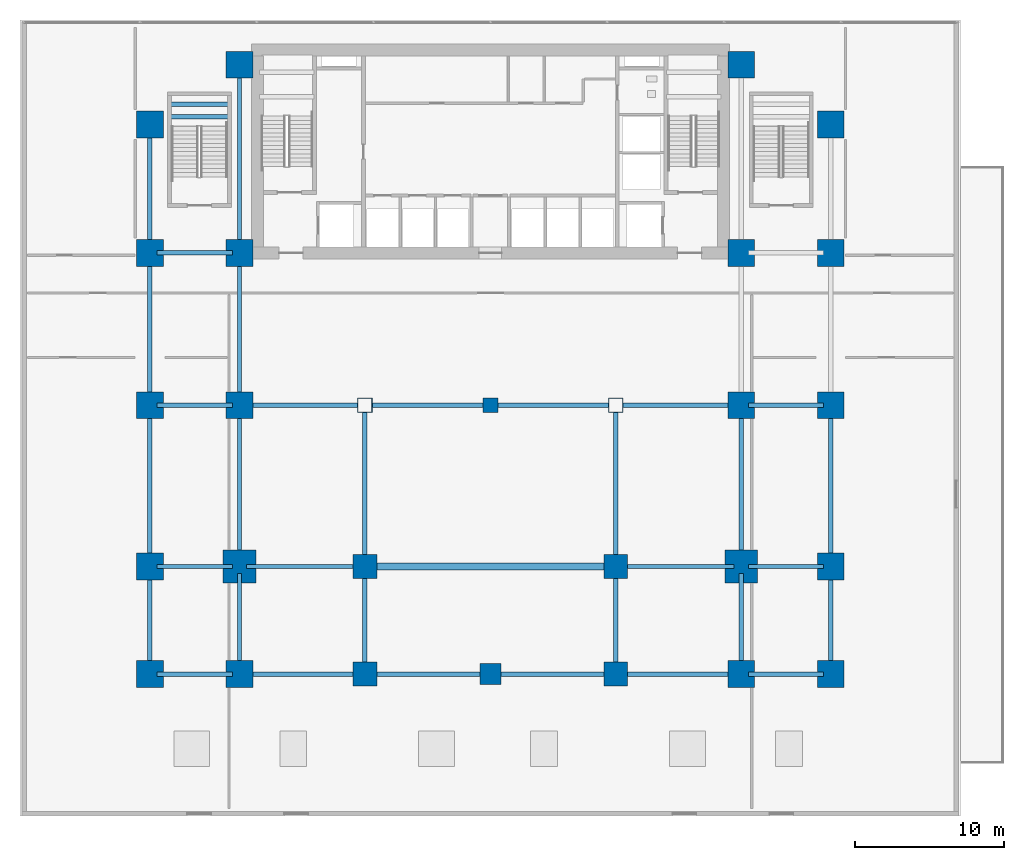
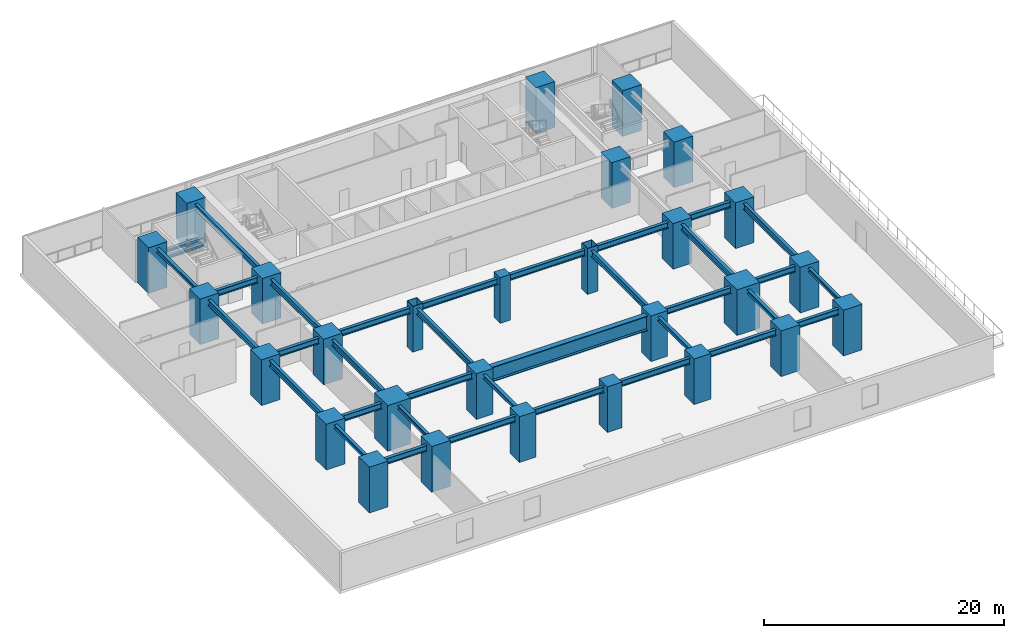
# One storey, part 1 of 15: 36 beams, 28 columns.
"""IFC4 building model written with IfcOpenShell, lengths in metres."""

import ifcopenshell
import ifcopenshell.guid

model = None  # the IFC model being written
_history = None  # IfcOwnerHistory: only IFC2X3 demands one
_inside = {}  # id of a spatial element -> (the spatial element, [elements in it])
_under = {}  # id of a project, library or spatial element -> (it, [spatial elements below it])
_declared = {}  # id of a project -> (the project, [libraries it declares])
_typed = {}  # id of a type object -> (the type object, [elements of that type])
_made_of = {}  # id of a material, layer set ... -> (it, [elements and type objects made of it])


def new_model(schema):
    """Start an empty IFC model of exactly this schema.

    Asked for "IFC4X3", IfcOpenShell would pick the latest addendum, in which some entities
    have other attributes; the version numbers below select the first issue.
    IFC2X3 requires an IfcOwnerHistory on every rooted entity: one is made here for all.
    """
    global model, _history
    if schema == "IFC4X3":
        model = ifcopenshell.file(schema_version=(4, 3, 0, 0))
    else:
        model = ifcopenshell.file(schema=schema)
    _inside.clear()
    _under.clear()
    _declared.clear()
    _typed.clear()
    _made_of.clear()
    _history = None
    if model.schema == "IFC2X3":
        org = make("IfcOrganization", Name="unknown")
        user = make(
            "IfcPersonAndOrganization",
            ThePerson=make("IfcPerson", FamilyName="unknown"),
            TheOrganization=org,
        )
        app = make(
            "IfcApplication",
            ApplicationDeveloper=org,
            Version="unknown",
            ApplicationFullName="unknown",
            ApplicationIdentifier="unknown",
        )
        _history = make(
            "IfcOwnerHistory",
            OwningUser=user,
            OwningApplication=app,
            ChangeAction="ADDED",
            CreationDate=0,
        )
    return model


def make(cls, **values):
    """One entity of the class cls with the attributes given. An attribute that is None is left unset."""
    return model.create_entity(
        cls, **{name: value for name, value in values.items() if value is not None}
    )


def rooted(cls, **values):
    """An entity with a GlobalId (a new one), such as an element, a storey or a relation."""
    return make(cls, GlobalId=ifcopenshell.guid.new(), OwnerHistory=_history, **values)


def si_unit(unit_type, name, prefix=None):
    """IfcSIUnit, for example si_unit("LENGTHUNIT", "METRE", prefix="MILLI")."""
    return make("IfcSIUnit", UnitType=unit_type, Prefix=prefix, Name=name)


def assignment(units):
    """IfcUnitAssignment: the units of a project."""
    return None if units is None else make("IfcUnitAssignment", Units=units)


def point(xyz):
    """IfcCartesianPoint."""
    return None if xyz is None else make("IfcCartesianPoint", Coordinates=xyz)


def direction(xyz):
    """IfcDirection."""
    return None if xyz is None else make("IfcDirection", DirectionRatios=xyz)


def frame(location, z_axis=None, x_axis=None):
    """IfcAxis2Placement3D, a coordinate frame: its origin and axes. An axis left out is left unset."""
    return make(
        "IfcAxis2Placement3D",
        Location=point(location),
        Axis=direction(z_axis),
        RefDirection=direction(x_axis),
    )


def frame_2d(location, x_axis=None):
    """IfcAxis2Placement2D, a coordinate frame in the plane: its origin and x axis."""
    return make(
        "IfcAxis2Placement2D", Location=point(location), RefDirection=direction(x_axis)
    )


def origin():
    """The frame at (0, 0, 0) with its axes left unset."""
    return frame((0.0, 0.0, 0.0))


def origin_with_axes():
    """The frame at (0, 0, 0) with the z axis (0, 0, 1) and the x axis (1, 0, 0) written out."""
    return frame((0.0, 0.0, 0.0), z_axis=(0.0, 0.0, 1.0), x_axis=(1.0, 0.0, 0.0))


def origin_2d():
    """The frame at (0, 0) in the plane with its x axis left unset."""
    return frame_2d((0.0, 0.0))


def place(relative_to, where):
    """IfcLocalPlacement: puts the frame where relative to a parent placement (None: the world)."""
    return make(
        "IfcLocalPlacement", PlacementRelTo=relative_to, RelativePlacement=where
    )


def context(
    kind, dimensions, precision=None, world=None, true_north=None, identifier=None
):
    """IfcGeometricRepresentationContext, for example the 3D "Model" context."""
    return make(
        "IfcGeometricRepresentationContext",
        ContextIdentifier=identifier,
        ContextType=kind,
        CoordinateSpaceDimension=dimensions,
        Precision=precision,
        WorldCoordinateSystem=world,
        TrueNorth=true_north,
    )


def subcontext(parent, identifier, kind, view, scale=None):
    """IfcGeometricRepresentationSubContext, for example "Body" below "Model"."""
    return make(
        "IfcGeometricRepresentationSubContext",
        ContextIdentifier=identifier,
        ContextType=kind,
        ParentContext=parent,
        TargetScale=scale,
        TargetView=view,
    )


def project(units=None, contexts=None):
    """IfcProject with its units and contexts."""
    return rooted(
        "IfcProject",
        Name="project",
        RepresentationContexts=contexts,
        UnitsInContext=assignment(units),
    )


def spatial(cls, under=None, at=None, **own):
    """A site, building, storey or space (cls), placed at a placement, below another one or the project."""
    s = rooted(cls, ObjectPlacement=at, **own)
    if under is not None:
        _under.setdefault(under.id(), (under, []))[1].append(s)
    return s


def profile(cls, at=None, kind="AREA", **sizes):
    """A parametric profile (cls). Its sizes go by their IFC names, for example OverallWidth=200.0."""
    return make(cls, ProfileType=kind, Position=at, **sizes)


def rectangle(**sizes):
    """IfcRectangleProfileDef."""
    return profile("IfcRectangleProfileDef", **sizes)


def hollow_rectangle(**sizes):
    """IfcRectangleHollowProfileDef."""
    return profile("IfcRectangleHollowProfileDef", **sizes)


def i_section(**sizes):
    """IfcIShapeProfileDef."""
    return profile("IfcIShapeProfileDef", **sizes)


def extrude(swept, where, along, depth):
    """IfcExtrudedAreaSolid: the profile swept, set in the frame where, extruded along a direction by depth."""
    return make(
        "IfcExtrudedAreaSolid",
        SweptArea=swept,
        Position=where,
        ExtrudedDirection=direction(along),
        Depth=depth,
    )


def shape(context_of_items, identifier, shape_type, items):
    """IfcShapeRepresentation: the items that make up one representation, for example the "Body"."""
    return make(
        "IfcShapeRepresentation",
        ContextOfItems=context_of_items,
        RepresentationIdentifier=identifier,
        RepresentationType=shape_type,
        Items=items,
    )


def source(mapping_origin, context_of_items, identifier, shape_type, items):
    """IfcRepresentationMap: a shape defined once, which mapped items show again and again."""
    return make(
        "IfcRepresentationMap",
        MappingOrigin=mapping_origin,
        MappedRepresentation=shape(context_of_items, identifier, shape_type, items),
    )


def transform(
    local_origin,
    x_axis=None,
    y_axis=None,
    z_axis=None,
    scale=None,
    scale2=None,
    scale3=None,
    uniform=True,
):
    """IfcCartesianTransformationOperator3D, or its non-uniform kind. x_axis, y_axis, z_axis: its Axis1, 2, 3."""
    if uniform:
        return make(
            "IfcCartesianTransformationOperator3D",
            Axis1=direction(x_axis),
            Axis2=direction(y_axis),
            LocalOrigin=point(local_origin),
            Scale=scale,
            Axis3=direction(z_axis),
        )
    return make(
        "IfcCartesianTransformationOperator3DnonUniform",
        Axis1=direction(x_axis),
        Axis2=direction(y_axis),
        LocalOrigin=point(local_origin),
        Scale=scale,
        Axis3=direction(z_axis),
        Scale2=scale2,
        Scale3=scale3,
    )


def mapped(mapping_source, mapping_target):
    """IfcMappedItem: shows the shape of a source again, moved by a transform."""
    return make(
        "IfcMappedItem", MappingSource=mapping_source, MappingTarget=mapping_target
    )


def material(Name=None, Category=None):
    """IfcMaterial."""
    return make("IfcMaterial", Name=Name, Category=Category)


def material_profile(
    of_material, cross_section, Name=None, Category=None, Priority=None
):
    """IfcMaterialProfile: a cross section and its material."""
    return make(
        "IfcMaterialProfile",
        Name=Name,
        Material=of_material,
        Profile=cross_section,
        Priority=Priority,
        Category=Category,
    )


def profile_set(profiles, Name=None, composite=None):
    """IfcMaterialProfileSet."""
    return make(
        "IfcMaterialProfileSet",
        Name=Name,
        MaterialProfiles=profiles,
        CompositeProfile=composite,
    )


def made_of(thing, what):
    """Note that an element or type object is made of a material, layer set ...; save() writes the relation."""
    if what is not None:
        _made_of.setdefault(what.id(), (what, []))[1].append(thing)
    return thing


def type_object(cls, material=None, **own):
    """A type object (cls), such as IfcWallType, which elements share."""
    return made_of(rooted(cls, **own), material)


def element(
    cls,
    number,
    at=None,
    inside=None,
    cuts=None,
    type_object=None,
    material=None,
    context=None,
    identifier="Body",
    shape_type=None,
    held_by="IfcProductDefinitionShape",
    body=None,
    shapes=None,
    **own,
):
    """One element of the class cls, such as IfcWall. Its Tag is "e" and its number.

    at: its placement. inside: the storey or other place that contains it. cuts: it is an
    opening in that element (IfcRelVoidsElement). A single representation is given by context,
    identifier, shape_type and body (its items); several are given by shapes. held_by: the class
    of the entity that holds the representations. save() writes the other relations.
    """
    e = rooted(cls, Tag="e%d" % number, ObjectPlacement=at, **own)
    if body is not None:
        shapes = [shape(context, identifier, shape_type, body)]
    if shapes is not None:
        e.Representation = make(held_by, Representations=shapes)
    if inside is not None:
        _inside.setdefault(inside.id(), (inside, []))[1].append(e)
    if cuts is not None:
        rooted(
            "IfcRelVoidsElement", RelatingBuildingElement=cuts, RelatedOpeningElement=e
        )
    if type_object is not None:
        _typed.setdefault(type_object.id(), (type_object, []))[1].append(e)
    return made_of(e, material)


def aggregate(whole, parts):
    """IfcRelAggregates: a whole, such as a stair, and the parts it consists of."""
    return rooted("IfcRelAggregates", RelatingObject=whole, RelatedObjects=parts)


def save(model, path):
    """Write the relations noted so far, then the file.

    IfcRelAggregates (storeys below a building ...), IfcRelContainedInSpatialStructure (elements
    in a storey), IfcRelDefinesByType, IfcRelAssociatesMaterial and IfcRelDeclares: one each for
    every whole, place, type object, material and project.
    """
    for whole, parts in _under.values():
        aggregate(whole, parts)
    for where, things in _inside.values():
        rooted(
            "IfcRelContainedInSpatialStructure",
            RelatedElements=things,
            RelatingStructure=where,
        )
    for kind, things in _typed.values():
        rooted("IfcRelDefinesByType", RelatedObjects=things, RelatingType=kind)
    for what, things in _made_of.values():
        rooted("IfcRelAssociatesMaterial", RelatedObjects=things, RelatingMaterial=what)
    for by, libraries in _declared.values():
        rooted("IfcRelDeclares", RelatingContext=by, RelatedDefinitions=libraries)
    model.write(path)


model = new_model("IFC4")

# Units and contexts
model_context = context("Model", 3, precision=1e-05, world=origin(), true_north=direction((0.0, 1.0)))
body_context = subcontext(model_context, "Body", "Model", "MODEL_VIEW")
ifc_project = project(units=[si_unit("LENGTHUNIT", "METRE"), si_unit("AREAUNIT", "SQUARE_METRE"), si_unit("VOLUMEUNIT", "CUBIC_METRE"), si_unit("PLANEANGLEUNIT", "RADIAN"), si_unit("MASSUNIT", "GRAM", prefix="KILO")], contexts=[model_context])

# Site, building, storey
site_placement = place(None, origin())
site = spatial("IfcSite", under=ifc_project, at=site_placement, CompositionType="ELEMENT")
building_placement = place(site_placement, origin())
building = spatial("IfcBuilding", under=site, at=building_placement, Name="Sumidabori Civic Tower", CompositionType="ELEMENT")
storey_placement = place(building_placement, frame((0.0, 0.0, 14.300048828125)))
storey = spatial("IfcBuildingStorey", under=building, at=storey_placement, Name="L03", CompositionType="ELEMENT", Elevation=14.300048828125)

# Columns
ifc_material_1 = material(Name="Concrete C60/75", Category="concrete")
ifc_material_profile_1 = material_profile(ifc_material_1, rectangle(XDim=1.800048828125, YDim=1.800048828125, at=origin_2d()), Name="RC 1800x1800")
ifc_profile_set_1 = profile_set([ifc_material_profile_1], Name="Concrete C60/75")
column_type_1 = type_object("IfcColumnType", Name="CL-MEGA-1800", PredefinedType="COLUMN", material=ifc_profile_set_1)
shared_shape_1 = source(origin(), body_context, "Body", "SweptSolid", [
    extrude(rectangle(XDim=1.800048828125, YDim=1.800048828125, at=origin_2d()), origin(), (0.0, 0.0, 1.0), 4.64990234375),
])
for number, where, z_axis, x_axis, name in (
    (1, (-16.800048828125, -18.0, 0.0), (0.0, 0.0, 1.0), (1.0, 0.0, 0.0), "Column MC-W16-Y18S L03"),
    (2, (-16.800048828125, 0.0, 0.0), (0.0, 0.0, 1.0), (1.0, 0.0, 0.0), "Column MC-W16-Y00 L03"),
    (3, (-16.800048828125, 10.199951171875, 0.0), (0.0, 0.0, 1.0), (1.0, 0.0, 0.0), "Column MC-W16-Y10N L03"),
    (4, (-16.800048828125, 22.800048828125, 0.0), (0.0, 0.0, 1.0), (1.0, 0.0, 0.0), "Column MC-W16-Y23N L03"),
    (5, (16.800048828125, -18.0, 0.0), (0.0, 0.0, 1.0), (1.0, 0.0, 0.0), "Column MC-E16-Y18S L03"),
    (6, (16.800048828125, 0.0, 0.0), (0.0, 0.0, 1.0), (1.0, 0.0, 0.0), "Column MC-E16-Y00 L03"),
    (7, (16.800048828125, 10.199951171875, 0.0), (0.0, 0.0, 1.0), (1.0, 0.0, 0.0), "Column MC-E16-Y10N L03"),
    (8, (16.800048828125, 22.800048828125, 0.0), (0.0, 0.0, 1.0), (1.0, 0.0, 0.0), "Column MC-E16-Y23N L03"),
    (9, (-22.800048828125, -18.0, 0.0), (0.0, 0.0, 1.0), (1.0, 0.0, 0.0), "Column MC-W23-Y18S L03"),
    (10, (-22.800048828125, -10.800048828125, 0.0), (0.0, 0.0, 1.0), (1.0, 0.0, 0.0), "Column MC-W23-Y11S L03"),
    (11, (-22.800048828125, 0.0, 0.0), (0.0, 0.0, 1.0), (1.0, 0.0, 0.0), "Column MC-W23-Y00 L03"),
    (12, (-22.800048828125, 10.199951171875, 0.0), (0.0, 0.0, 1.0), (1.0, 0.0, 0.0), "Column MC-W23-Y10N L03"),
    (13, (-22.800048828125, 18.800048828125, 0.0), (0.0, 0.0, 1.0), (1.0, 0.0, 0.0), "Column MC-W23-Y19N L03"),
    (14, (22.800048828125, -18.0, 0.0), (0.0, 0.0, 1.0), (1.0, 0.0, 0.0), "Column MC-E23-Y18S L03"),
    (15, (22.800048828125, -10.800048828125, 0.0), (0.0, 0.0, 1.0), (1.0, 0.0, 0.0), "Column MC-E23-Y11S L03"),
    (16, (22.800048828125, 0.0, 0.0), (0.0, 0.0, 1.0), (1.0, 0.0, 0.0), "Column MC-E23-Y00 L03"),
    (17, (22.800048828125, 10.199951171875, 0.0), (0.0, 0.0, 1.0), (1.0, 0.0, 0.0), "Column MC-E23-Y10N L03"),
    (18, (22.800048828125, 18.800048828125, 0.0), (0.0, 0.0, 1.0), (1.0, 0.0, 0.0), "Column MC-E23-Y19N L03"),
):
    element("IfcColumn", number, at=place(storey_placement, frame(where, z_axis=z_axis, x_axis=x_axis)), inside=storey, type_object=column_type_1, Name=name, PredefinedType="COLUMN", context=body_context, shape_type="MappedRepresentation", body=[
        mapped(shared_shape_1, transform((0.0, 0.0, 0.0), x_axis=(1.0, 0.0, 0.0), y_axis=(0.0, 1.0, 0.0), z_axis=(0.0, 0.0, 1.0), scale=1.0)),
    ])
ifc_material_profile_2 = material_profile(ifc_material_1, rectangle(XDim=2.199951171875, YDim=2.199951171875, at=origin_2d()), Name="RC 2200x2200")
ifc_profile_set_2 = profile_set([ifc_material_profile_2], Name="Concrete C60/75")
column_type_2 = type_object("IfcColumnType", Name="CL-SUPER-2200", PredefinedType="COLUMN", material=ifc_profile_set_2)
shared_shape_2 = source(origin(), body_context, "Body", "SweptSolid", [
    extrude(rectangle(XDim=2.199951171875, YDim=2.199951171875, at=origin_2d()), origin(), (0.0, 0.0, 1.0), 4.64990234375),
])
for number, where, z_axis, x_axis, name in (
    (19, (-16.800048828125, -10.800048828125, 0.0), (0.0, 0.0, 1.0), (1.0, 0.0, 0.0), "Column MC-W16-Y11S L03"),
    (20, (16.800048828125, -10.800048828125, 0.0), (0.0, 0.0, 1.0), (1.0, 0.0, 0.0), "Column MC-E16-Y11S L03"),
):
    element("IfcColumn", number, at=place(storey_placement, frame(where, z_axis=z_axis, x_axis=x_axis)), inside=storey, type_object=column_type_2, Name=name, PredefinedType="COLUMN", context=body_context, shape_type="MappedRepresentation", body=[
        mapped(shared_shape_2, transform((0.0, 0.0, 0.0), x_axis=(1.0, 0.0, 0.0), y_axis=(0.0, 1.0, 0.0), z_axis=(0.0, 0.0, 1.0), scale=1.0)),
    ])
ifc_material_profile_3 = material_profile(ifc_material_1, rectangle(XDim=1.60009765625, YDim=1.60009765625, at=origin_2d()), Name="RC 1600x1600")
ifc_profile_set_3 = profile_set([ifc_material_profile_3], Name="Concrete C60/75")
column_type_3 = type_object("IfcColumnType", Name="CL-MEGA-1600", PredefinedType="COLUMN", material=ifc_profile_set_3)
shared_shape_3 = source(origin(), body_context, "Body", "SweptSolid", [
    extrude(rectangle(XDim=1.60009765625, YDim=1.60009765625, at=origin_2d()), origin(), (0.0, 0.0, 1.0), 4.64990234375),
])
for number, where, z_axis, x_axis, name in (
    (21, (-8.39990234375, -18.0, 0.0), (0.0, 0.0, 1.0), (1.0, 0.0, 0.0), "Column MC-W08-Y18S L03"),
    (22, (-8.39990234375, -10.800048828125, 0.0), (0.0, 0.0, 1.0), (1.0, 0.0, 0.0), "Column MC-W08-Y11S L03"),
    (23, (8.39990234375, -18.0, 0.0), (0.0, 0.0, 1.0), (1.0, 0.0, 0.0), "Column MC-E08-Y18S L03"),
    (24, (8.39990234375, -10.800048828125, 0.0), (0.0, 0.0, 1.0), (1.0, 0.0, 0.0), "Column MC-E08-Y11S L03"),
):
    element("IfcColumn", number, at=place(storey_placement, frame(where, z_axis=z_axis, x_axis=x_axis)), inside=storey, type_object=column_type_3, Name=name, PredefinedType="COLUMN", context=body_context, shape_type="MappedRepresentation", body=[
        mapped(shared_shape_3, transform((0.0, 0.0, 0.0), x_axis=(1.0, 0.0, 0.0), y_axis=(0.0, 1.0, 0.0), z_axis=(0.0, 0.0, 1.0), scale=1.0)),
    ])
ifc_material_2 = material(Name="Steel SM570", Category="steel")
ifc_material_profile_4 = material_profile(ifc_material_2, hollow_rectangle(XDim=1.0, YDim=1.0, WallThickness=0.044921875, at=origin_2d()), Name="SHS 1000x1000x45")
ifc_profile_set_4 = profile_set([ifc_material_profile_4], Name="Steel SM570")
column_type_4 = type_object("IfcColumnType", Name="CL-PORTAL-SHS1000", PredefinedType="COLUMN", material=ifc_profile_set_4)
shared_shape_4 = source(origin(), body_context, "Body", "SweptSolid", [
    extrude(hollow_rectangle(XDim=1.0, YDim=1.0, WallThickness=0.044921875, at=origin_2d()), origin(), (0.0, 0.0, 1.0), 4.64990234375),
])
for number, where, z_axis, x_axis, name in (
    (25, (-8.39990234375, 0.0, 0.0), (0.0, 0.0, 1.0), (1.0, 0.0, 0.0), "Column MC-W08-Y00 L03"),
    (26, (8.39990234375, 0.0, 0.0), (0.0, 0.0, 1.0), (1.0, 0.0, 0.0), "Column MC-E08-Y00 L03"),
):
    element("IfcColumn", number, at=place(storey_placement, frame(where, z_axis=z_axis, x_axis=x_axis)), inside=storey, type_object=column_type_4, Name=name, PredefinedType="COLUMN", context=body_context, shape_type="MappedRepresentation", body=[
        mapped(shared_shape_4, transform((0.0, 0.0, 0.0), x_axis=(1.0, 0.0, 0.0), y_axis=(0.0, 1.0, 0.0), z_axis=(0.0, 0.0, 1.0), scale=1.0)),
    ])
ifc_material_profile_5 = material_profile(ifc_material_1, rectangle(XDim=1.39990234375, YDim=1.39990234375, at=origin_2d()), Name="RC 1400x1400")
ifc_profile_set_5 = profile_set([ifc_material_profile_5], Name="Concrete C60/75")
column_type_5 = type_object("IfcColumnType", Name="CL-MEGA-1400", PredefinedType="COLUMN", material=ifc_profile_set_5)
shared_shape_5 = source(origin(), body_context, "Body", "SweptSolid", [
    extrude(rectangle(XDim=1.39990234375, YDim=1.39990234375, at=origin_2d()), origin(), (0.0, 0.0, 1.0), 4.64990234375),
])
column_1_placement = place(storey_placement, frame((0.0, -18.0, 0.0), z_axis=(0.0, 0.0, 1.0), x_axis=(1.0, 0.0, 0.0)))
element("IfcColumn", 27, at=column_1_placement, inside=storey, type_object=column_type_5, Name="Column MC-C00-Y18S L03", PredefinedType="COLUMN", context=body_context, shape_type="MappedRepresentation", body=[
    mapped(shared_shape_5, transform((0.0, 0.0, 0.0), x_axis=(1.0, 0.0, 0.0), y_axis=(0.0, 1.0, 0.0), z_axis=(0.0, 0.0, 1.0), scale=1.0)),
])
ifc_material_3 = material(Name="Concrete C50/60", Category="concrete")
ifc_material_profile_6 = material_profile(ifc_material_3, rectangle(XDim=1.0, YDim=1.0, at=origin_2d()), Name="RC 1000x1000")
ifc_profile_set_6 = profile_set([ifc_material_profile_6], Name="Concrete C50/60")
column_type_6 = type_object("IfcColumnType", Name="CL-INT-1000", PredefinedType="COLUMN", material=ifc_profile_set_6)
shared_shape_6 = source(origin(), body_context, "Body", "SweptSolid", [
    extrude(rectangle(XDim=1.0, YDim=1.0, at=origin_2d()), origin(), (0.0, 0.0, 1.0), 4.64990234375),
])
column_2_placement = place(storey_placement, origin_with_axes())
element("IfcColumn", 28, at=column_2_placement, inside=storey, type_object=column_type_6, Name="Column MC-C00-Y00 L03", PredefinedType="COLUMN", context=body_context, shape_type="MappedRepresentation", body=[
    mapped(shared_shape_6, transform((0.0, 0.0, 0.0), x_axis=(1.0, 0.0, 0.0), y_axis=(0.0, 1.0, 0.0), z_axis=(0.0, 0.0, 1.0), scale=1.0)),
])

# Beams
ifc_material_4 = material(Name="Steel SN490", Category="steel")
ifc_material_profile_7 = material_profile(ifc_material_4, i_section(OverallWidth=0.300048828125, OverallDepth=0.60009765625, WebThickness=0.015380859375, FlangeThickness=0.030029296875, at=origin_2d()), Name="HE 600 B")
ifc_profile_set_7 = profile_set([ifc_material_profile_7], Name="Steel SN490")
beam_type_1 = type_object("IfcBeamType", Name="BM-GIRD-600", PredefinedType="BEAM", material=ifc_profile_set_7)
shared_shape_7 = source(origin(), body_context, "Body", "SweptSolid", [
    extrude(i_section(OverallWidth=0.300048828125, OverallDepth=0.60009765625, WebThickness=0.015380859375, FlangeThickness=0.030029296875, at=origin_2d()), origin(), (0.0, 0.0, 1.0), 5.0400390625),
])
for number, where, z_axis, x_axis, name in (
    (29, (-22.320068359375, -18.0, 4.030029296875), (1.0, 0.0, 0.0), (0.0, 1.0, 0.0), "Primary Girder L03 GX-01"),
    (30, (17.280029296875, -18.0, 4.030029296875), (1.0, 0.0, 0.0), (0.0, 1.0, 0.0), "Primary Girder L03 GX-06"),
    (31, (-22.320068359375, -10.800048828125, 4.030029296875), (1.0, 0.0, 0.0), (0.0, 1.0, 0.0), "Primary Girder L03 GX-07"),
    (32, (17.280029296875, -10.800048828125, 4.030029296875), (1.0, 0.0, 0.0), (0.0, 1.0, 0.0), "Primary Girder L03 GX-10"),
    (33, (-22.320068359375, 0.0, 4.030029296875), (1.0, 0.0, 0.0), (0.0, 1.0, 0.0), "Primary Girder L03 GX-11"),
    (34, (17.280029296875, 0.0, 4.030029296875), (1.0, 0.0, 0.0), (0.0, 1.0, 0.0), "Primary Girder L03 GX-16"),
    (35, (-22.320068359375, 10.199951171875, 4.030029296875), (1.0, 0.0, 0.0), (0.0, 1.0, 0.0), "Primary Girder L03 GX-17"),
):
    element("IfcBeam", number, at=place(storey_placement, frame(where, z_axis=z_axis, x_axis=x_axis)), inside=storey, type_object=beam_type_1, Name=name, PredefinedType="BEAM", context=body_context, shape_type="MappedRepresentation", body=[
        mapped(shared_shape_7, transform((0.0, 0.0, 0.0), x_axis=(1.0, 0.0, 0.0), y_axis=(0.0, 1.0, 0.0), z_axis=(0.0, 0.0, 1.0), scale=1.0)),
    ])
shared_shape_8 = source(origin(), body_context, "Body", "SweptSolid", [
    extrude(i_section(OverallWidth=0.300048828125, OverallDepth=0.60009765625, WebThickness=0.015380859375, FlangeThickness=0.030029296875, at=origin_2d()), origin(), (0.0, 0.0, 1.0), 7.440185546875),
])
for number, where, z_axis, x_axis, name in (
    (36, (-16.320068359375, -18.0, 4.030029296875), (1.0, 0.0, 0.0), (0.0, 1.0, 0.0), "Primary Girder L03 GX-02"),
    (37, (8.8798828125, -18.0, 4.030029296875), (1.0, 0.0, 0.0), (0.0, 1.0, 0.0), "Primary Girder L03 GX-05"),
    (38, (-16.320068359375, -10.800048828125, 4.030029296875), (1.0, 0.0, 0.0), (0.0, 1.0, 0.0), "Primary Girder L03 GX-08"),
    (39, (8.8798828125, -10.800048828125, 4.030029296875), (1.0, 0.0, 0.0), (0.0, 1.0, 0.0), "Primary Girder L03 GX-09"),
    (40, (-16.320068359375, 0.0, 4.030029296875), (1.0, 0.0, 0.0), (0.0, 1.0, 0.0), "Primary Girder L03 GX-12"),
    (41, (8.8798828125, 0.0, 4.030029296875), (1.0, 0.0, 0.0), (0.0, 1.0, 0.0), "Primary Girder L03 GX-15"),
):
    element("IfcBeam", number, at=place(storey_placement, frame(where, z_axis=z_axis, x_axis=x_axis)), inside=storey, type_object=beam_type_1, Name=name, PredefinedType="BEAM", context=body_context, shape_type="MappedRepresentation", body=[
        mapped(shared_shape_8, transform((0.0, 0.0, 0.0), x_axis=(1.0, 0.0, 0.0), y_axis=(0.0, 1.0, 0.0), z_axis=(0.0, 0.0, 1.0), scale=1.0)),
    ])
shared_shape_9 = source(origin(), body_context, "Body", "SweptSolid", [
    extrude(i_section(OverallWidth=0.300048828125, OverallDepth=0.60009765625, WebThickness=0.015380859375, FlangeThickness=0.030029296875, at=origin_2d()), origin(), (0.0, 0.0, 1.0), 7.43994140625),
])
for number, where, z_axis, x_axis, name in (
    (42, (-7.919921875, -18.0, 4.030029296875), (1.0, 0.0, 0.0), (0.0, 1.0, 0.0), "Primary Girder L03 GX-03"),
    (43, (0.47998046875, -18.0, 4.030029296875), (1.0, 0.0, 0.0), (0.0, 1.0, 0.0), "Primary Girder L03 GX-04"),
    (44, (-7.919921875, 0.0, 4.030029296875), (1.0, 0.0, 0.0), (0.0, 1.0, 0.0), "Primary Girder L03 GX-13"),
    (45, (0.47998046875, 0.0, 4.030029296875), (1.0, 0.0, 0.0), (0.0, 1.0, 0.0), "Primary Girder L03 GX-14"),
):
    element("IfcBeam", number, at=place(storey_placement, frame(where, z_axis=z_axis, x_axis=x_axis)), inside=storey, type_object=beam_type_1, Name=name, PredefinedType="BEAM", context=body_context, shape_type="MappedRepresentation", body=[
        mapped(shared_shape_9, transform((0.0, 0.0, 0.0), x_axis=(1.0, 0.0, 0.0), y_axis=(0.0, 1.0, 0.0), z_axis=(0.0, 0.0, 1.0), scale=1.0)),
    ])
ifc_material_profile_8 = material_profile(ifc_material_4, i_section(OverallWidth=0.300048828125, OverallDepth=0.39990234375, WebThickness=0.013427734375, FlangeThickness=0.02392578125, at=origin_2d()), Name="HE 400 B")
ifc_profile_set_8 = profile_set([ifc_material_profile_8], Name="Steel SN490")
beam_type_2 = type_object("IfcBeamType", Name="BM-GIRD-400", PredefinedType="BEAM", material=ifc_profile_set_8)
shared_shape_10 = source(origin(), body_context, "Body", "SweptSolid", [
    extrude(i_section(OverallWidth=0.300048828125, OverallDepth=0.39990234375, WebThickness=0.013427734375, FlangeThickness=0.02392578125, at=origin_2d()), origin(), (0.0, 0.0, 1.0), 6.239990234375),
])
for number, where, z_axis, x_axis, name in (
    (46, (-22.800048828125, -17.52001953125, 4.1298828125), (0.0, 1.0, 0.0), (-1.0, 0.0, 0.0), "Primary Girder L03 GY-19"),
    (47, (-16.800048828125, -17.52001953125, 4.1298828125), (0.0, 1.0, 0.0), (-1.0, 0.0, 0.0), "Primary Girder L03 GY-23"),
    (48, (-8.39990234375, -17.52001953125, 4.1298828125), (0.0, 1.0, 0.0), (-1.0, 0.0, 0.0), "Primary Girder L03 GY-27"),
    (49, (8.39990234375, -17.52001953125, 4.1298828125), (0.0, 1.0, 0.0), (-1.0, 0.0, 0.0), "Primary Girder L03 GY-29"),
    (50, (16.800048828125, -17.52001953125, 4.1298828125), (0.0, 1.0, 0.0), (-1.0, 0.0, 0.0), "Primary Girder L03 GY-31"),
    (51, (22.800048828125, -17.52001953125, 4.1298828125), (0.0, 1.0, 0.0), (-1.0, 0.0, 0.0), "Primary Girder L03 GY-35"),
):
    element("IfcBeam", number, at=place(storey_placement, frame(where, z_axis=z_axis, x_axis=x_axis)), inside=storey, type_object=beam_type_2, Name=name, PredefinedType="BEAM", context=body_context, shape_type="MappedRepresentation", body=[
        mapped(shared_shape_10, transform((0.0, 0.0, 0.0), x_axis=(1.0, 0.0, 0.0), y_axis=(0.0, 1.0, 0.0), z_axis=(0.0, 0.0, 1.0), scale=1.0)),
    ])
shared_shape_11 = source(origin(), body_context, "Body", "SweptSolid", [
    extrude(i_section(OverallWidth=0.300048828125, OverallDepth=0.60009765625, WebThickness=0.015380859375, FlangeThickness=0.030029296875, at=origin_2d()), origin(), (0.0, 0.0, 1.0), 9.840087890625),
])
for number, where, z_axis, x_axis, name in (
    (52, (-22.800048828125, -10.320068359375, 4.030029296875), (0.0, 1.0, 0.0), (-1.0, 0.0, 0.0), "Primary Girder L03 GY-20"),
    (53, (-16.800048828125, -10.320068359375, 4.030029296875), (0.0, 1.0, 0.0), (-1.0, 0.0, 0.0), "Primary Girder L03 GY-24"),
    (54, (-8.39990234375, -10.320068359375, 4.030029296875), (0.0, 1.0, 0.0), (-1.0, 0.0, 0.0), "Primary Girder L03 GY-28"),
    (55, (8.39990234375, -10.320068359375, 4.030029296875), (0.0, 1.0, 0.0), (-1.0, 0.0, 0.0), "Primary Girder L03 GY-30"),
    (56, (16.800048828125, -10.320068359375, 4.030029296875), (0.0, 1.0, 0.0), (-1.0, 0.0, 0.0), "Primary Girder L03 GY-32"),
    (57, (22.800048828125, -10.320068359375, 4.030029296875), (0.0, 1.0, 0.0), (-1.0, 0.0, 0.0), "Primary Girder L03 GY-36"),
):
    element("IfcBeam", number, at=place(storey_placement, frame(where, z_axis=z_axis, x_axis=x_axis)), inside=storey, type_object=beam_type_1, Name=name, PredefinedType="BEAM", context=body_context, shape_type="MappedRepresentation", body=[
        mapped(shared_shape_11, transform((0.0, 0.0, 0.0), x_axis=(1.0, 0.0, 0.0), y_axis=(0.0, 1.0, 0.0), z_axis=(0.0, 0.0, 1.0), scale=1.0)),
    ])
shared_shape_12 = source(origin(), body_context, "Body", "SweptSolid", [
    extrude(i_section(OverallWidth=0.300048828125, OverallDepth=0.60009765625, WebThickness=0.015380859375, FlangeThickness=0.030029296875, at=origin_2d()), origin(), (0.0, 0.0, 1.0), 9.239990234375),
])
for number, where, z_axis, x_axis, name in (
    (58, (-22.800048828125, 0.47998046875, 4.030029296875), (0.0, 1.0, 0.0), (-1.0, 0.0, 0.0), "Primary Girder L03 GY-21"),
    (59, (-16.800048828125, 0.47998046875, 4.030029296875), (0.0, 1.0, 0.0), (-1.0, 0.0, 0.0), "Primary Girder L03 GY-25"),
):
    element("IfcBeam", number, at=place(storey_placement, frame(where, z_axis=z_axis, x_axis=x_axis)), inside=storey, type_object=beam_type_1, Name=name, PredefinedType="BEAM", context=body_context, shape_type="MappedRepresentation", body=[
        mapped(shared_shape_12, transform((0.0, 0.0, 0.0), x_axis=(1.0, 0.0, 0.0), y_axis=(0.0, 1.0, 0.0), z_axis=(0.0, 0.0, 1.0), scale=1.0)),
    ])
shared_shape_13 = source(origin(), body_context, "Body", "SweptSolid", [
    extrude(i_section(OverallWidth=0.300048828125, OverallDepth=0.39990234375, WebThickness=0.013427734375, FlangeThickness=0.02392578125, at=origin_2d()), origin(), (0.0, 0.0, 1.0), 7.64013671875),
])
beam_1_placement = place(storey_placement, frame((-22.800048828125, 10.679931640625, 4.1298828125), z_axis=(0.0, 1.0, 0.0), x_axis=(-1.0, 0.0, 0.0)))
element("IfcBeam", 60, at=beam_1_placement, inside=storey, type_object=beam_type_2, Name="Primary Girder L03 GY-22", PredefinedType="BEAM", context=body_context, shape_type="MappedRepresentation", body=[
    mapped(shared_shape_13, transform((0.0, 0.0, 0.0), x_axis=(1.0, 0.0, 0.0), y_axis=(0.0, 1.0, 0.0), z_axis=(0.0, 0.0, 1.0), scale=1.0)),
])
shared_shape_14 = source(origin(), body_context, "Body", "SweptSolid", [
    extrude(i_section(OverallWidth=0.300048828125, OverallDepth=0.60009765625, WebThickness=0.015380859375, FlangeThickness=0.030029296875, at=origin_2d()), origin(), (0.0, 0.0, 1.0), 11.64013671875),
])
beam_2_placement = place(storey_placement, frame((-16.800048828125, 10.679931640625, 4.030029296875), z_axis=(0.0, 1.0, 0.0), x_axis=(-1.0, 0.0, 0.0)))
element("IfcBeam", 61, at=beam_2_placement, inside=storey, type_object=beam_type_1, Name="Primary Girder L03 GY-26", PredefinedType="BEAM", context=body_context, shape_type="MappedRepresentation", body=[
    mapped(shared_shape_14, transform((0.0, 0.0, 0.0), x_axis=(1.0, 0.0, 0.0), y_axis=(0.0, 1.0, 0.0), z_axis=(0.0, 0.0, 1.0), scale=1.0)),
])
ifc_material_profile_9 = material_profile(ifc_material_4, i_section(OverallWidth=0.300048828125, OverallDepth=0.300048828125, WebThickness=0.010986328125, FlangeThickness=0.01904296875, at=origin_2d()), Name="HE 300 B")
ifc_profile_set_9 = profile_set([ifc_material_profile_9], Name="Steel SN490")
beam_type_3 = type_object("IfcBeamType", Name="BM-LDG-300", PredefinedType="BEAM", material=ifc_profile_set_9)
shared_shape_15 = source(origin(), body_context, "Body", "SweptSolid", [
    extrude(i_section(OverallWidth=0.300048828125, OverallDepth=0.300048828125, WebThickness=0.010986328125, FlangeThickness=0.01904296875, at=origin_2d()), origin(), (0.0, 0.0, 1.0), 4.0),
])
for number, where, z_axis, x_axis, name in (
    (62, (-21.47998046875, 19.32568359375, 1.974853515625), (1.0, 0.0, 0.0), (0.0, 1.0, 0.0), "Stair ST-3 Landing Support Beam L03-1A"),
    (63, (-21.47998046875, 20.15771484375, 1.974853515625), (1.0, 0.0, 0.0), (0.0, 1.0, 0.0), "Stair ST-3 Landing Trimmer Beam L03-1B"),
):
    element("IfcBeam", number, at=place(storey_placement, frame(where, z_axis=z_axis, x_axis=x_axis)), inside=storey, type_object=beam_type_3, Name=name, PredefinedType="BEAM", context=body_context, shape_type="MappedRepresentation", body=[
        mapped(shared_shape_15, transform((0.0, 0.0, 0.0), x_axis=(1.0, 0.0, 0.0), y_axis=(0.0, 1.0, 0.0), z_axis=(0.0, 0.0, 1.0), scale=1.0)),
    ])
ifc_material_profile_10 = material_profile(ifc_material_2, i_section(OverallWidth=0.5, OverallDepth=1.5, WebThickness=0.0380859375, FlangeThickness=0.06396484375, at=origin_2d()), Name="WTG 1500x500")
ifc_profile_set_10 = profile_set([ifc_material_profile_10], Name="Steel SM570")
beam_type_4 = type_object("IfcBeamType", Name="BM-TT-CHORD", PredefinedType="BEAM", material=ifc_profile_set_10)
shared_shape_16 = source(origin(), body_context, "Body", "SweptSolid", [
    extrude(i_section(OverallWidth=0.5, OverallDepth=1.5, WebThickness=0.0380859375, FlangeThickness=0.06396484375, at=origin_2d()), origin(), (0.0, 0.0, 1.0), 15.83984375),
])
beam_3_placement = place(storey_placement, frame((-7.919921875, -10.800048828125, 3.579833984375), z_axis=(1.0, 0.0, 0.0), x_axis=(0.0, 1.0, 0.0)))
element("IfcBeam", 64, at=beam_3_placement, inside=storey, type_object=beam_type_4, Name="Podium Transfer Girder Bottom Chord TT1-B1", PredefinedType="BEAM", context=body_context, shape_type="MappedRepresentation", body=[
    mapped(shared_shape_16, transform((0.0, 0.0, 0.0), x_axis=(1.0, 0.0, 0.0), y_axis=(0.0, 1.0, 0.0), z_axis=(0.0, 0.0, 1.0), scale=1.0)),
])

save(model, "model.ifc")
